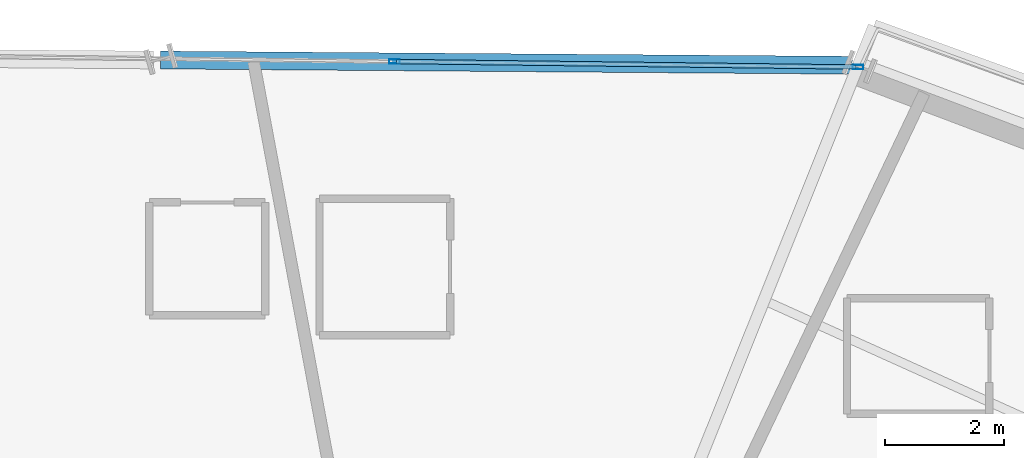
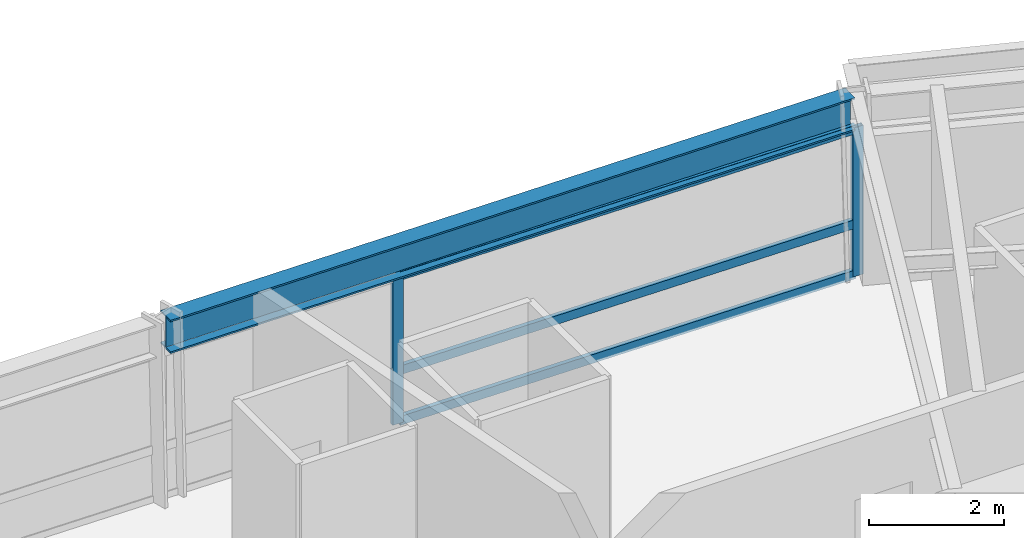
# One storey, part 8 of 21: 5 members, 1 beam, 1 element without a shape of its own.
"""IFC4 building model written with IfcOpenShell, lengths in metres."""

from ifc_helpers import new_model, si_unit, direction, frame, origin, origin_2d, place, context, subcontext, project, spatial, hollow_rectangle, i_section, extrude, source, transform, mapped, material, material_profile, profile_set, type_object, element, aggregate, save


model = new_model("IFC4")

# Units and contexts
model_context = context("Model", 3, precision=1e-05, world=origin(), true_north=direction((0.0, 1.0)))
body_context = subcontext(model_context, "Body", "Model", "MODEL_VIEW")
ifc_project = project(units=[si_unit("LENGTHUNIT", "METRE"), si_unit("AREAUNIT", "SQUARE_METRE"), si_unit("VOLUMEUNIT", "CUBIC_METRE"), si_unit("PLANEANGLEUNIT", "RADIAN"), si_unit("MASSUNIT", "GRAM", prefix="KILO")], contexts=[model_context])

# Site, building, storey
site_placement = place(None, origin())
site = spatial("IfcSite", under=ifc_project, at=site_placement, CompositionType="ELEMENT")
building_placement = place(site_placement, origin())
building = spatial("IfcBuilding", under=site, at=building_placement, Name="Olszyna Solenne Hotel", CompositionType="ELEMENT")
storey_placement = place(building_placement, frame((0.0, 0.0, 91.5)))
storey = spatial("IfcBuildingStorey", under=building, at=storey_placement, Name="L23", CompositionType="ELEMENT", Elevation=91.5)

# Beam
ifc_material_1 = material(Name="Steel S355J2", Category="steel")
ifc_material_profile_1 = material_profile(ifc_material_1, i_section(OverallWidth=0.300048828125, OverallDepth=0.60009765625, WebThickness=0.015380859375, FlangeThickness=0.030029296875, at=origin_2d()), Name="HEB 600", Category="load-bearing")
ifc_profile_set_1 = profile_set([ifc_material_profile_1], Name="Steel S355J2")
beam_type = type_object("IfcBeamType", Name="BM-S2", PredefinedType="BEAM", material=ifc_profile_set_1)
shared_shape_1 = source(origin(), body_context, "Body", "SweptSolid", [
    extrude(i_section(OverallWidth=0.300048828125, OverallDepth=0.60009765625, WebThickness=0.015380859375, FlangeThickness=0.030029296875, at=origin_2d()), origin(), (0.0, 0.0, 1.0), 11.6513671875),
])
beam_placement = place(storey_placement, frame((44.836181640625, 43.98095703125, 3.0), z_axis=(-0.999971390498, 0.007564270309, 0.0), x_axis=(-0.007564270309, -0.999971390498, 0.0)))
element("IfcBeam", 1, at=beam_placement, inside=storey, type_object=beam_type, Name="Perimeter spandrel beam BM-S2 B-L23-0693", PredefinedType="BEAM", context=body_context, shape_type="MappedRepresentation", body=[
    mapped(shared_shape_1, transform((0.0, 0.0, 0.0), x_axis=(1.0, 0.0, 0.0), y_axis=(0.0, 1.0, 0.0), z_axis=(0.0, 0.0, 1.0), scale=1.0)),
])

# Curtain wall, members
ifc_material_2 = material(Name="Anodised bronze aluminium", Category="aluminium")
curtain_wall_type = type_object("IfcCurtainWallType", Name="CW-SYS-3", PredefinedType="NOTDEFINED", material=ifc_material_2)
curtain_wall_placement = place(storey_placement, origin())
curtain_wall = element("IfcCurtainWall", 2, at=curtain_wall_placement, inside=storey, type_object=curtain_wall_type, Name="Unitised curtain wall CW-SYS-3 CW-L23-02", PredefinedType="NOTDEFINED")
ifc_material_profile_2 = material_profile(ifc_material_2, hollow_rectangle(XDim=0.074951171875, YDim=0.159912109375, WallThickness=0.00390625, at=origin_2d()), Name="TRAN 160x75x4", Category="load-bearing")
ifc_profile_set_2 = profile_set([ifc_material_profile_2], Name="Anodised bronze aluminium")
member_type_1 = type_object("IfcMemberType", Name="CW-T1", PredefinedType="USERDEFINED", material=ifc_profile_set_2)
shared_shape_2 = source(origin(), body_context, "Body", "SweptSolid", [
    extrude(hollow_rectangle(XDim=0.074951171875, YDim=0.159912109375, WallThickness=0.00390625, at=origin_2d()), origin(), (0.0, 0.0, 1.0), 7.7353515625),
])
member_1_placement = place(storey_placement, frame((37.162353515625, 44.04345703125, 0.03759765625), z_axis=(0.999928832442, -0.011930215853, 0.0), x_axis=(0.011930215853, 0.999928832442, 0.0)))
member_1 = element("IfcMember", 3, at=member_1_placement, type_object=member_type_1, Name="Curtain-wall transom CW-T1 CT-L23-02-07", ObjectType="TRANSOM", PredefinedType="USERDEFINED", context=body_context, shape_type="MappedRepresentation", body=[
    mapped(shared_shape_2, transform((0.0, 0.0, 0.0), x_axis=(1.0, 0.0, 0.0), y_axis=(0.0, 1.0, 0.0), z_axis=(0.0, 0.0, 1.0), scale=1.0)),
])
member_2_placement = place(storey_placement, frame((37.162353515625, 44.04345703125, 0.949951171875), z_axis=(0.999928832442, -0.011930215853, 0.0), x_axis=(0.011930215853, 0.999928832442, 0.0)))
member_2 = element("IfcMember", 4, at=member_2_placement, type_object=member_type_1, Name="Curtain-wall transom CW-T1 CT-L23-02-08", ObjectType="TRANSOM", PredefinedType="USERDEFINED", context=body_context, shape_type="MappedRepresentation", body=[
    mapped(shared_shape_2, transform((0.0, 0.0, 0.0), x_axis=(1.0, 0.0, 0.0), y_axis=(0.0, 1.0, 0.0), z_axis=(0.0, 0.0, 1.0), scale=1.0)),
])
member_3_placement = place(storey_placement, frame((37.162353515625, 44.04345703125, 2.654541015625), z_axis=(0.999928832442, -0.011930215853, 0.0), x_axis=(0.011930215853, 0.999928832442, 0.0)))
member_3 = element("IfcMember", 5, at=member_3_placement, type_object=member_type_1, Name="Curtain-wall transom CW-T1 CT-L23-02-09", ObjectType="TRANSOM", PredefinedType="USERDEFINED", context=body_context, shape_type="MappedRepresentation", body=[
    mapped(shared_shape_2, transform((0.0, 0.0, 0.0), x_axis=(1.0, 0.0, 0.0), y_axis=(0.0, 1.0, 0.0), z_axis=(0.0, 0.0, 1.0), scale=1.0)),
])
ifc_material_profile_3 = material_profile(ifc_material_2, hollow_rectangle(XDim=0.074951171875, YDim=0.179931640625, WallThickness=0.00439453125, at=origin_2d()), Name="MULL 180x75x4.5", Category="load-bearing")
ifc_profile_set_3 = profile_set([ifc_material_profile_3], Name="Anodised bronze aluminium")
member_type_2 = type_object("IfcMemberType", Name="CW-M2", PredefinedType="MULLION", material=ifc_profile_set_3)
shared_shape_3 = source(origin(), body_context, "Body", "SweptSolid", [
    extrude(hollow_rectangle(XDim=0.074951171875, YDim=0.179931640625, WallThickness=0.00439453125, at=origin_2d()), origin(), (0.0, 0.0, 1.0), 2.69189453125),
])
member_4_placement = place(storey_placement, frame((37.125, 44.043701171875, 0.0), z_axis=(0.0, 0.0, 1.0), x_axis=(0.011926972982, 0.999928871128, 0.0)))
member_4 = element("IfcMember", 6, at=member_4_placement, type_object=member_type_2, Name="Curtain-wall mullion CW-M2 CM-L23-02-03", PredefinedType="MULLION", context=body_context, shape_type="MappedRepresentation", body=[
    mapped(shared_shape_3, transform((0.0, 0.0, 0.0), x_axis=(1.0, 0.0, 0.0), y_axis=(0.0, 1.0, 0.0), z_axis=(0.0, 0.0, 1.0), scale=1.0)),
])
member_5_placement = place(storey_placement, frame((44.9345703125, 43.95068359375, 0.0), z_axis=(0.0, 0.0, 1.0), x_axis=(0.011926972982, 0.999928871128, 0.0)))
member_5 = element("IfcMember", 7, at=member_5_placement, type_object=member_type_2, Name="Curtain-wall mullion CW-M2 CM-L23-02-04", PredefinedType="MULLION", context=body_context, shape_type="MappedRepresentation", body=[
    mapped(shared_shape_3, transform((0.0, 0.0, 0.0), x_axis=(1.0, 0.0, 0.0), y_axis=(0.0, 1.0, 0.0), z_axis=(0.0, 0.0, 1.0), scale=1.0)),
])
aggregate(curtain_wall, [member_4, member_5, member_1, member_2, member_3])

save(model, "model.ifc")
